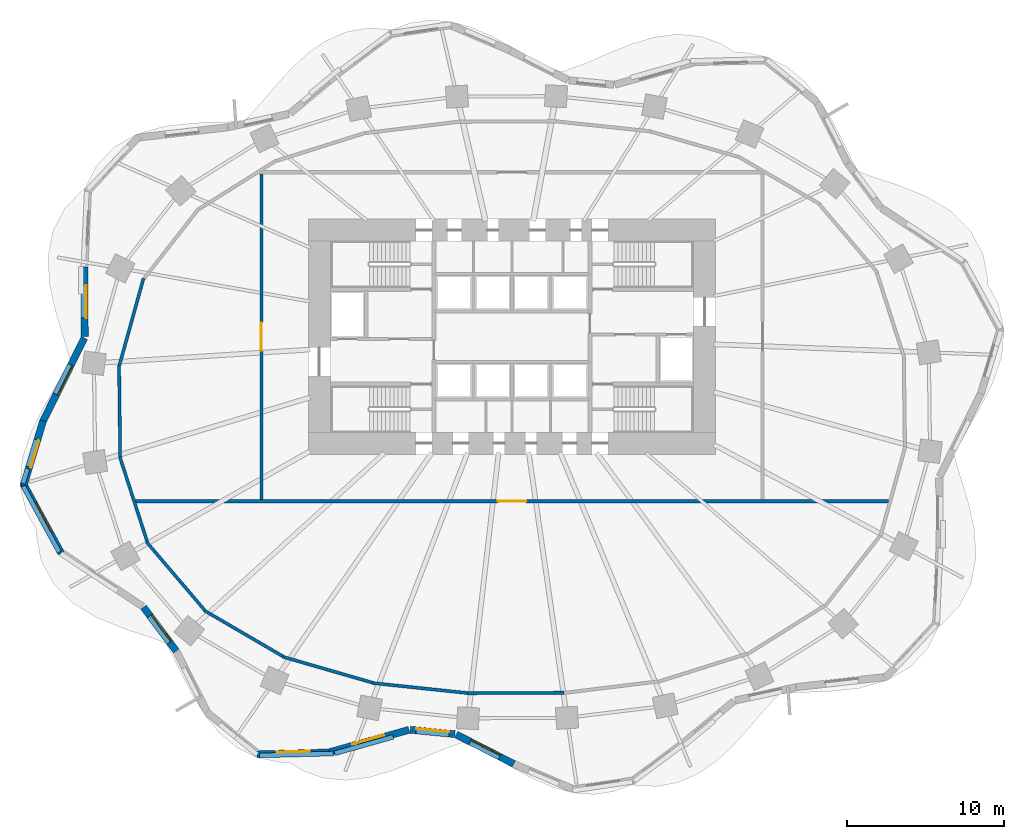
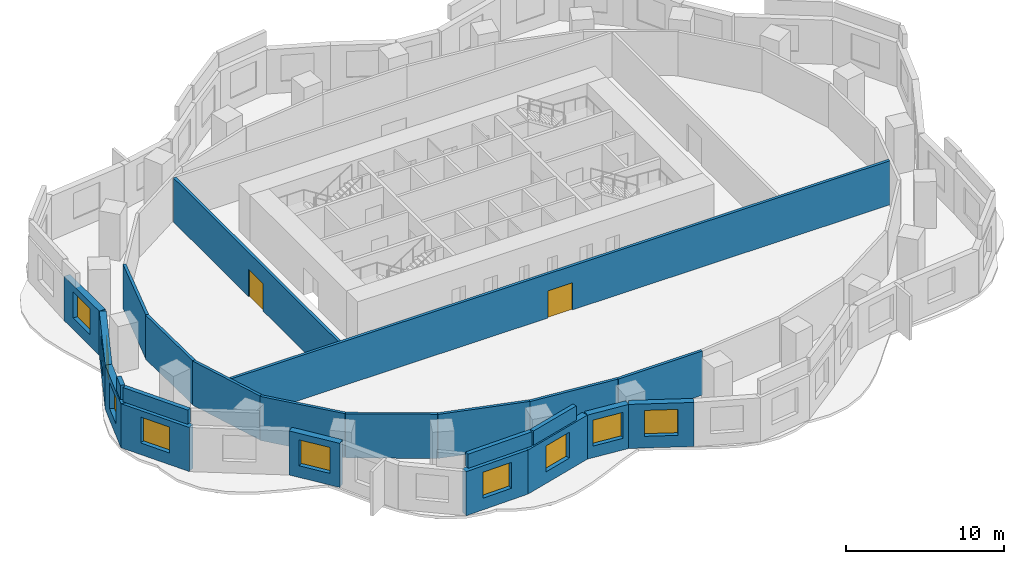
# One storey, part 3 of 8: 23 walls, 9 windows, 2 doors, 11 openings.
"""IFC4 building model written with IfcOpenShell, lengths in metres."""

from ifc_helpers import new_model, si_unit, direction, frame, frame_2d, origin, place, context, subcontext, project, spatial, rectangle, extrude, material, layer, layer_set, type_object, element, fill, save


model = new_model("IFC4")

# Units and contexts
model_context = context("Model", 3, precision=1e-05, world=origin(), true_north=direction((0.0, 1.0)))
body_context = subcontext(model_context, "Body", "Model", "MODEL_VIEW")
ifc_project = project(units=[si_unit("LENGTHUNIT", "METRE"), si_unit("AREAUNIT", "SQUARE_METRE"), si_unit("VOLUMEUNIT", "CUBIC_METRE"), si_unit("PLANEANGLEUNIT", "RADIAN"), si_unit("MASSUNIT", "GRAM", prefix="KILO")], contexts=[model_context])

# Site, building, storey
site_placement = place(None, origin())
site = spatial("IfcSite", under=ifc_project, at=site_placement, CompositionType="ELEMENT")
building_placement = place(site_placement, origin())
building = spatial("IfcBuilding", under=site, at=building_placement, Name="Rubra Terraces Tower", CompositionType="ELEMENT")
storey_placement = place(building_placement, frame((0.0, 0.0, 55.5)))
storey = spatial("IfcBuildingStorey", under=building, at=storey_placement, Name="L11", CompositionType="ELEMENT", Elevation=55.5)

# Wall, opening, window
ifc_material_1 = material(Name="Brick masonry red-brown", Category="masonry")
ifc_layer_1 = layer(ifc_material_1, 0.449951171875)
ifc_layer_set_1 = layer_set([ifc_layer_1], Name="Brick masonry red-brown")
wall_type_1 = type_object("IfcWallType", Name="Brick facade wall 450", PredefinedType="SOLIDWALL", material=ifc_layer_set_1)
wall_1_placement = place(storey_placement, frame((-27.284912109375, 8.966796875, 0.0), z_axis=(0.0, 0.0, 1.0), x_axis=(0.003185571797, -0.999994926053, 0.0)))
wall_1 = element("IfcWall", 1, at=wall_1_placement, inside=storey, type_object=wall_type_1, Name="Facade wall L11 bay 19", PredefinedType="SOLIDWALL", context=body_context, shape_type="SweptSolid", body=[
    extrude(rectangle(XDim=4.445068359375, YDim=0.449951171875, at=frame_2d((2.22265625, 0.0))), origin(), (0.0, 0.0, 1.0), 3.39990234375),
])
opening_1_placement = place(wall_1_placement, frame((1.172607421875, 0.0, 0.89990234375)))
opening_1 = element("IfcOpeningElement", 2, at=opening_1_placement, cuts=wall_1, Name="Opening W1", PredefinedType="OPENING", context=body_context, shape_type="SweptSolid", body=[
    extrude(rectangle(XDim=2.10009765625, YDim=2.0, at=frame_2d((1.050048828125, 1.0))), frame((0.0, 0.23486328125, 0.0), z_axis=(0.0, -1.0, 0.0), x_axis=(1.0, 0.0, 0.0)), (0.0, 0.0, 1.0), 0.469970703125),
])
ifc_material_2 = material(Name="Clear glass in aluminium frame", Category="aluminium")
window_type_1 = type_object("IfcWindowType", Name="Fixed deep-set window 2100 x 2000", PartitioningType="SINGLE_PANEL", PredefinedType="WINDOW", material=ifc_material_2)
window_1_placement = place(opening_1_placement, origin())
window_1 = element("IfcWindow", 3, at=window_1_placement, inside=storey, type_object=window_type_1, Name="Window L11 bay 19", OverallHeight=2.0, OverallWidth=2.10009765625, PartitioningType="SINGLE_PANEL", PredefinedType="WINDOW", context=body_context, shape_type="SweptSolid", body=[
    extrude(rectangle(XDim=2.10009765625, YDim=2.0, at=frame_2d((1.050048828125, 1.0))), frame((0.0, 0.135009765625, 0.0), z_axis=(0.0, -1.0, 0.0), x_axis=(1.0, 0.0, 0.0)), (0.0, 0.0, 1.0), 0.06005859375),
])
fill(opening_1, window_1)

wall_2_placement = place(storey_placement, frame((-27.294189453125, 4.426513671875, 0.0), z_axis=(0.0, 0.0, 1.0), x_axis=(-0.444913249375, -0.895573671191, 0.0)))
wall_2 = element("IfcWall", 4, at=wall_2_placement, inside=storey, type_object=wall_type_1, Name="Facade wall L11 bay 20", PredefinedType="SOLIDWALL", context=body_context, shape_type="SweptSolid", body=[
    extrude(rectangle(XDim=5.947265625, YDim=0.449951171875, at=frame_2d((2.9736328125, 0.0))), origin(), (0.0, 0.0, 1.0), 3.39990234375),
])
opening_2_placement = place(wall_2_placement, frame((1.923583984375, 0.0, 0.89990234375)))
opening_2 = element("IfcOpeningElement", 5, at=opening_2_placement, cuts=wall_2, Name="Opening W1", PredefinedType="OPENING", context=body_context, shape_type="SweptSolid", body=[
    extrude(rectangle(XDim=2.10009765625, YDim=2.0, at=frame_2d((1.050048828125, 1.0))), frame((0.0, 0.23486328125, 0.0), z_axis=(0.0, -1.0, 0.0), x_axis=(1.0, 0.0, 0.0)), (0.0, 0.0, 1.0), 0.469970703125),
])
window_2_placement = place(opening_2_placement, origin())
window_2 = element("IfcWindow", 6, at=window_2_placement, inside=storey, type_object=window_type_1, Name="Window L11 bay 20", OverallHeight=2.0, OverallWidth=2.10009765625, PartitioningType="SINGLE_PANEL", PredefinedType="WINDOW", context=body_context, shape_type="SweptSolid", body=[
    extrude(rectangle(XDim=2.10009765625, YDim=2.0, at=frame_2d((1.050048828125, 1.0))), frame((0.0, 0.135009765625, 0.0), z_axis=(0.0, -1.0, 0.0), x_axis=(1.0, 0.0, 0.0)), (0.0, 0.0, 1.0), 0.06005859375),
])
fill(opening_2, window_2)

wall_3_placement = place(storey_placement, frame((-29.926513671875, -0.86474609375, 0.0), z_axis=(0.0, 0.0, 1.0), x_axis=(-0.289432445378, -0.957198443147, 0.0)))
wall_3 = element("IfcWall", 7, at=wall_3_placement, inside=storey, type_object=wall_type_1, Name="Facade wall L11 bay 21", PredefinedType="SOLIDWALL", context=body_context, shape_type="SweptSolid", body=[
    extrude(rectangle(XDim=4.361083984375, YDim=0.449951171875, at=frame_2d((2.1806640625, 0.0))), origin(), (0.0, 0.0, 1.0), 3.39990234375),
])
opening_3_placement = place(wall_3_placement, frame((1.280517578125, 0.0, 0.89990234375)))
opening_3 = element("IfcOpeningElement", 8, at=opening_3_placement, cuts=wall_3, Name="Opening W6", PredefinedType="OPENING", context=body_context, shape_type="SweptSolid", body=[
    extrude(rectangle(XDim=1.800048828125, YDim=2.0, at=frame_2d((0.89990234375, 1.0))), frame((0.0, 0.23486328125, 0.0), z_axis=(0.0, -1.0, 0.0), x_axis=(1.0, 0.0, 0.0)), (0.0, 0.0, 1.0), 0.469970703125),
])
window_type_2 = type_object("IfcWindowType", Name="Fixed deep-set window at wind fin 1800 x 2000", PartitioningType="SINGLE_PANEL", PredefinedType="WINDOW", material=ifc_material_2)
window_3_placement = place(opening_3_placement, origin())
window_3 = element("IfcWindow", 9, at=window_3_placement, inside=storey, type_object=window_type_2, Name="Window L11 bay 21", OverallHeight=2.0, OverallWidth=1.800048828125, PartitioningType="SINGLE_PANEL", PredefinedType="WINDOW", context=body_context, shape_type="SweptSolid", body=[
    extrude(rectangle(XDim=1.800048828125, YDim=2.0, at=frame_2d((0.89990234375, 1.0))), frame((0.0, 0.135009765625, 0.0), z_axis=(0.0, -1.0, 0.0), x_axis=(1.0, 0.0, 0.0)), (0.0, 0.0, 1.0), 0.06005859375),
])
fill(opening_3, window_3)

wall_4_placement = place(storey_placement, frame((-31.20654296875, -4.8662109375, 0.0), z_axis=(0.0, 0.0, 1.0), x_axis=(0.479565142605, -0.877506281458, 0.0)))
wall_4 = element("IfcWall", 10, at=wall_4_placement, inside=storey, type_object=wall_type_1, Name="Facade wall L11 bay 22", PredefinedType="SOLIDWALL", context=body_context, shape_type="SweptSolid", body=[
    extrude(rectangle(XDim=5.060791015625, YDim=0.449951171875, at=frame_2d((2.5302734375, 0.0))), origin(), (0.0, 0.0, 1.0), 3.39990234375),
])
opening_4_placement = place(wall_4_placement, frame((1.48046875, 0.0, 0.89990234375)))
opening_4 = element("IfcOpeningElement", 11, at=opening_4_placement, cuts=wall_4, Name="Opening W1", PredefinedType="OPENING", context=body_context, shape_type="SweptSolid", body=[
    extrude(rectangle(XDim=2.10009765625, YDim=2.0, at=frame_2d((1.050048828125, 1.0))), frame((0.0, 0.23486328125, 0.0), z_axis=(0.0, -1.0, 0.0), x_axis=(1.0, 0.0, 0.0)), (0.0, 0.0, 1.0), 0.469970703125),
])
window_4_placement = place(opening_4_placement, origin())
window_4 = element("IfcWindow", 12, at=window_4_placement, inside=storey, type_object=window_type_1, Name="Window L11 bay 22", OverallHeight=2.0, OverallWidth=2.10009765625, PartitioningType="SINGLE_PANEL", PredefinedType="WINDOW", context=body_context, shape_type="SweptSolid", body=[
    extrude(rectangle(XDim=2.10009765625, YDim=2.0, at=frame_2d((1.050048828125, 1.0))), frame((0.0, 0.135009765625, 0.0), z_axis=(0.0, -1.0, 0.0), x_axis=(1.0, 0.0, 0.0)), (0.0, 0.0, 1.0), 0.06005859375),
])
fill(opening_4, window_4)

wall_5_placement = place(storey_placement, frame((-23.520263671875, -12.762451171875, 0.0), z_axis=(0.0, 0.0, 1.0), x_axis=(0.598664281495, -0.801000048728, 0.0)))
wall_5 = element("IfcWall", 13, at=wall_5_placement, inside=storey, type_object=wall_type_1, Name="Facade wall L11 bay 24", PredefinedType="SOLIDWALL", context=body_context, shape_type="SweptSolid", body=[
    extrude(rectangle(XDim=3.482177734375, YDim=0.449951171875, at=frame_2d((1.7412109375, 0.0))), origin(), (0.0, 0.0, 1.0), 3.39990234375),
])
opening_5_placement = place(wall_5_placement, frame((0.691162109375, 0.0, 0.89990234375)))
opening_5 = element("IfcOpeningElement", 14, at=opening_5_placement, cuts=wall_5, Name="Opening W1", PredefinedType="OPENING", context=body_context, shape_type="SweptSolid", body=[
    extrude(rectangle(XDim=2.10009765625, YDim=2.0, at=frame_2d((1.050048828125, 1.0))), frame((0.0, 0.23486328125, 0.0), z_axis=(0.0, -1.0, 0.0), x_axis=(1.0, 0.0, 0.0)), (0.0, 0.0, 1.0), 0.469970703125),
])
window_5_placement = place(opening_5_placement, origin())
window_5 = element("IfcWindow", 15, at=window_5_placement, inside=storey, type_object=window_type_1, Name="Window L11 bay 24", OverallHeight=2.0, OverallWidth=2.10009765625, PartitioningType="SINGLE_PANEL", PredefinedType="WINDOW", context=body_context, shape_type="SweptSolid", body=[
    extrude(rectangle(XDim=2.10009765625, YDim=2.0, at=frame_2d((1.050048828125, 1.0))), frame((0.0, 0.135009765625, 0.0), z_axis=(0.0, -1.0, 0.0), x_axis=(1.0, 0.0, 0.0)), (0.0, 0.0, 1.0), 0.06005859375),
])
fill(opening_5, window_5)

wall_6_placement = place(storey_placement, frame((-16.264892578125, -22.153076171875, 0.0), z_axis=(0.0, 0.0, 1.0), x_axis=(0.999672618135, 0.025586257081, 0.0)))
wall_6 = element("IfcWall", 16, at=wall_6_placement, inside=storey, type_object=wall_type_1, Name="Facade wall L11 bay 27", PredefinedType="SOLIDWALL", context=body_context, shape_type="SweptSolid", body=[
    extrude(rectangle(XDim=4.589599609375, YDim=0.449951171875, at=frame_2d((2.294921875, 0.0))), origin(), (0.0, 0.0, 1.0), 3.39990234375),
])
opening_6_placement = place(wall_6_placement, frame((1.244873046875, 0.0, 0.89990234375)))
opening_6 = element("IfcOpeningElement", 17, at=opening_6_placement, cuts=wall_6, Name="Opening W1", PredefinedType="OPENING", context=body_context, shape_type="SweptSolid", body=[
    extrude(rectangle(XDim=2.10009765625, YDim=2.0, at=frame_2d((1.050048828125, 1.0))), frame((0.0, 0.23486328125, 0.0), z_axis=(0.0, -1.0, 0.0), x_axis=(1.0, 0.0, 0.0)), (0.0, 0.0, 1.0), 0.469970703125),
])
window_6_placement = place(opening_6_placement, origin())
window_6 = element("IfcWindow", 18, at=window_6_placement, inside=storey, type_object=window_type_1, Name="Window L11 bay 27", OverallHeight=2.0, OverallWidth=2.10009765625, PartitioningType="SINGLE_PANEL", PredefinedType="WINDOW", context=body_context, shape_type="SweptSolid", body=[
    extrude(rectangle(XDim=2.10009765625, YDim=2.0, at=frame_2d((1.050048828125, 1.0))), frame((0.0, 0.135009765625, 0.0), z_axis=(0.0, -1.0, 0.0), x_axis=(1.0, 0.0, 0.0)), (0.0, 0.0, 1.0), 0.06005859375),
])
fill(opening_6, window_6)

wall_7_placement = place(storey_placement, frame((-11.73193359375, -22.0439453125, 0.0), z_axis=(0.0, 0.0, 1.0), x_axis=(0.962535416232, 0.271155992925, 0.0)))
wall_7 = element("IfcWall", 19, at=wall_7_placement, inside=storey, type_object=wall_type_1, Name="Facade wall L11 bay 28", PredefinedType="SOLIDWALL", context=body_context, shape_type="SweptSolid", body=[
    extrude(rectangle(XDim=5.357177734375, YDim=0.449951171875, at=frame_2d((2.6787109375, 0.0))), origin(), (0.0, 0.0, 1.0), 3.39990234375),
])
opening_7_placement = place(wall_7_placement, frame((1.628662109375, 0.0, 0.89990234375)))
opening_7 = element("IfcOpeningElement", 20, at=opening_7_placement, cuts=wall_7, Name="Opening W1", PredefinedType="OPENING", context=body_context, shape_type="SweptSolid", body=[
    extrude(rectangle(XDim=2.10009765625, YDim=2.0, at=frame_2d((1.050048828125, 1.0))), frame((0.0, 0.23486328125, 0.0), z_axis=(0.0, -1.0, 0.0), x_axis=(1.0, 0.0, 0.0)), (0.0, 0.0, 1.0), 0.469970703125),
])
window_7_placement = place(opening_7_placement, origin())
window_7 = element("IfcWindow", 21, at=window_7_placement, inside=storey, type_object=window_type_1, Name="Window L11 bay 28", OverallHeight=2.0, OverallWidth=2.10009765625, PartitioningType="SINGLE_PANEL", PredefinedType="WINDOW", context=body_context, shape_type="SweptSolid", body=[
    extrude(rectangle(XDim=2.10009765625, YDim=2.0, at=frame_2d((1.050048828125, 1.0))), frame((0.0, 0.135009765625, 0.0), z_axis=(0.0, -1.0, 0.0), x_axis=(1.0, 0.0, 0.0)), (0.0, 0.0, 1.0), 0.06005859375),
])
fill(opening_7, window_7)

wall_8_placement = place(storey_placement, frame((-6.4921875, -20.583984375, 0.0), z_axis=(0.0, 0.0, 1.0), x_axis=(0.995123748575, -0.098634299418, 0.0)))
wall_8 = element("IfcWall", 22, at=wall_8_placement, inside=storey, type_object=wall_type_1, Name="Facade wall L11 bay 29", PredefinedType="SOLIDWALL", context=body_context, shape_type="SweptSolid", body=[
    extrude(rectangle(XDim=2.86376953125, YDim=0.449951171875, at=frame_2d((1.431884765625, 0.0))), origin(), (0.0, 0.0, 1.0), 3.39990234375),
])
opening_8_placement = place(wall_8_placement, frame((0.3818359375, 0.0, 0.89990234375)))
opening_8 = element("IfcOpeningElement", 23, at=opening_8_placement, cuts=wall_8, Name="Opening W1", PredefinedType="OPENING", context=body_context, shape_type="SweptSolid", body=[
    extrude(rectangle(XDim=2.10009765625, YDim=2.0, at=frame_2d((1.050048828125, 1.0))), frame((0.0, 0.23486328125, 0.0), z_axis=(0.0, -1.0, 0.0), x_axis=(1.0, 0.0, 0.0)), (0.0, 0.0, 1.0), 0.469970703125),
])
window_8_placement = place(opening_8_placement, origin())
window_8 = element("IfcWindow", 24, at=window_8_placement, inside=storey, type_object=window_type_1, Name="Window L11 bay 29", OverallHeight=2.0, OverallWidth=2.10009765625, PartitioningType="SINGLE_PANEL", PredefinedType="WINDOW", context=body_context, shape_type="SweptSolid", body=[
    extrude(rectangle(XDim=2.10009765625, YDim=2.0, at=frame_2d((1.050048828125, 1.0))), frame((0.0, 0.135009765625, 0.0), z_axis=(0.0, -1.0, 0.0), x_axis=(1.0, 0.0, 0.0)), (0.0, 0.0, 1.0), 0.06005859375),
])
fill(opening_8, window_8)

wall_9_placement = place(storey_placement, frame((-3.564208984375, -20.888916015625, 0.0), z_axis=(0.0, 0.0, 1.0), x_axis=(0.891033634447, -0.453937288933, 0.0)))
wall_9 = element("IfcWall", 25, at=wall_9_placement, inside=storey, type_object=wall_type_1, Name="Facade wall L11 bay 30", PredefinedType="SOLIDWALL", context=body_context, shape_type="SweptSolid", body=[
    extrude(rectangle(XDim=4.131591796875, YDim=0.449951171875, at=frame_2d((2.06591796875, 0.0))), origin(), (0.0, 0.0, 1.0), 3.39990234375),
])
opening_9_placement = place(wall_9_placement, frame((1.015869140625, 0.0, 0.89990234375)))
opening_9 = element("IfcOpeningElement", 26, at=opening_9_placement, cuts=wall_9, Name="Opening W1", PredefinedType="OPENING", context=body_context, shape_type="SweptSolid", body=[
    extrude(rectangle(XDim=2.10009765625, YDim=2.0, at=frame_2d((1.050048828125, 1.0))), frame((0.0, 0.23486328125, 0.0), z_axis=(0.0, -1.0, 0.0), x_axis=(1.0, 0.0, 0.0)), (0.0, 0.0, 1.0), 0.469970703125),
])
window_9_placement = place(opening_9_placement, origin())
window_9 = element("IfcWindow", 27, at=window_9_placement, inside=storey, type_object=window_type_1, Name="Window L11 bay 30", OverallHeight=2.0, OverallWidth=2.10009765625, PartitioningType="SINGLE_PANEL", PredefinedType="WINDOW", context=body_context, shape_type="SweptSolid", body=[
    extrude(rectangle(XDim=2.10009765625, YDim=2.0, at=frame_2d((1.050048828125, 1.0))), frame((0.0, 0.135009765625, 0.0), z_axis=(0.0, -1.0, 0.0), x_axis=(1.0, 0.0, 0.0)), (0.0, 0.0, 1.0), 0.06005859375),
])
fill(opening_9, window_9)

# Walls
ifc_layer_2 = layer(ifc_material_1, 0.300048828125)
ifc_layer_set_2 = layer_set([ifc_layer_2], Name="Brick masonry red-brown")
wall_type_2 = type_object("IfcWallType", Name="Brick parapet 300", PredefinedType="PARAPET", material=ifc_layer_set_2)
wall_10_placement = place(storey_placement, frame((-30.923583984375, -3.9033203125, 3.60009765625), z_axis=(0.0, 0.0, 1.0), x_axis=(-0.289368862089, -0.95721766681, 0.0)))
element("IfcWall", 28, at=wall_10_placement, inside=storey, type_object=wall_type_2, Name="Parapet L11 bay 21", PredefinedType="PARAPET", context=body_context, shape_type="SweptSolid", body=[
    extrude(rectangle(XDim=1.00830078125, YDim=0.300048828125, at=frame_2d((0.504150390625, 0.0))), origin(), (0.0, 0.0, 1.0), 1.099853515625),
])
wall_11_placement = place(storey_placement, frame((-31.19775390625, -5.038818359375, 3.60009765625), z_axis=(0.0, 0.0, 1.0), x_axis=(0.479564593641, -0.877506581472, 0.0)))
element("IfcWall", 29, at=wall_11_placement, inside=storey, type_object=wall_type_2, Name="Parapet L11 bay 22", PredefinedType="PARAPET", context=body_context, shape_type="SweptSolid", body=[
    extrude(rectangle(XDim=4.80078125, YDim=0.300048828125, at=frame_2d((2.400390625, 0.0))), origin(), (0.0, 0.0, 1.0), 1.099853515625),
])
wall_12_placement = place(storey_placement, frame((-16.121826171875, -22.224365234375, 3.60009765625), z_axis=(0.0, 0.0, 1.0), x_axis=(0.999672688687, 0.025583500399, 0.0)))
element("IfcWall", 30, at=wall_12_placement, inside=storey, type_object=wall_type_2, Name="Parapet L11 bay 27", PredefinedType="PARAPET", context=body_context, shape_type="SweptSolid", body=[
    extrude(rectangle(XDim=4.714111328125, YDim=0.300048828125, at=frame_2d((2.35693359375, 0.0))), origin(), (0.0, 0.0, 1.0), 1.099853515625),
])
wall_13_placement = place(storey_placement, frame((-11.313720703125, -22.08935546875, 3.60009765625), z_axis=(0.0, 0.0, 1.0), x_axis=(0.962524249835, 0.271195627691, 0.0)))
element("IfcWall", 31, at=wall_13_placement, inside=storey, type_object=wall_type_2, Name="Parapet L11 bay 28", PredefinedType="PARAPET", context=body_context, shape_type="SweptSolid", body=[
    extrude(rectangle(XDim=3.880126953125, YDim=0.300048828125, at=frame_2d((1.93994140625, 0.0))), origin(), (0.0, 0.0, 1.0), 1.099853515625),
])
ifc_material_3 = material(Name="Blockwork", Category="masonry")
ifc_layer_3 = layer(ifc_material_3, 0.199951171875)
ifc_layer_set_3 = layer_set([ifc_layer_3], Name="Blockwork")
wall_type_3 = type_object("IfcWallType", Name="Corridor partition 200 blockwork", PredefinedType="PARTITIONING", material=ifc_layer_set_3)
wall_14_placement = place(storey_placement, frame((3.30810546875, -18.22412109375, 0.0), z_axis=(0.0, 0.0, 1.0), x_axis=(-0.999988230875, -0.004851609169, 0.0)))
element("IfcWall", 32, at=wall_14_placement, inside=storey, type_object=wall_type_3, Name="Partition wall", PredefinedType="PARTITIONING", context=body_context, shape_type="SweptSolid", body=[
    extrude(rectangle(XDim=6.13916015625, YDim=0.199951171875, at=frame_2d((3.069580078125, 0.0))), origin(), (0.0, 0.0, 1.0), 3.39990234375),
])
wall_15_placement = place(storey_placement, frame((-2.830078125, -18.243896484375, 0.0), z_axis=(0.0, 0.0, 1.0), x_axis=(-0.994495561058, 0.10477871461, 0.0)))
element("IfcWall", 33, at=wall_15_placement, inside=storey, type_object=wall_type_3, Name="Partition wall", PredefinedType="PARTITIONING", context=body_context, shape_type="SweptSolid", body=[
    extrude(rectangle(XDim=6.08837890625, YDim=0.199951171875, at=frame_2d((3.044189453125, 0.0))), origin(), (0.0, 0.0, 1.0), 3.39990234375),
])
wall_16_placement = place(storey_placement, frame((-8.882080078125, -17.587890625, 0.0), z_axis=(0.0, 0.0, 1.0), x_axis=(-0.960715878889, 0.277533781818, 0.0)))
element("IfcWall", 34, at=wall_16_placement, inside=storey, type_object=wall_type_3, Name="Partition wall", PredefinedType="PARTITIONING", context=body_context, shape_type="SweptSolid", body=[
    extrude(rectangle(XDim=5.970458984375, YDim=0.199951171875, at=frame_2d((2.9853515625, 0.0))), origin(), (0.0, 0.0, 1.0), 3.39990234375),
])
wall_17_placement = place(storey_placement, frame((-14.60791015625, -15.908935546875, 0.0), z_axis=(0.0, 0.0, 1.0), x_axis=(-0.863803195861, 0.503829374709, 0.0)))
element("IfcWall", 35, at=wall_17_placement, inside=storey, type_object=wall_type_3, Name="Partition wall", PredefinedType="PARTITIONING", context=body_context, shape_type="SweptSolid", body=[
    extrude(rectangle(XDim=5.831298828125, YDim=0.199951171875, at=frame_2d((2.91552734375, 0.0))), origin(), (0.0, 0.0, 1.0), 3.39990234375),
])
wall_18_placement = place(storey_placement, frame((-19.6240234375, -12.945068359375, 0.0), z_axis=(0.0, 0.0, 1.0), x_axis=(-0.648549295441, 0.761172655435, 0.0)))
element("IfcWall", 36, at=wall_18_placement, inside=storey, type_object=wall_type_3, Name="Partition wall", PredefinedType="PARTITIONING", context=body_context, shape_type="SweptSolid", body=[
    extrude(rectangle(XDim=5.692626953125, YDim=0.199951171875, at=frame_2d((2.84619140625, 0.0))), origin(), (0.0, 0.0, 1.0), 3.39990234375),
])
wall_19_placement = place(storey_placement, frame((-23.281982421875, -8.593017578125, 0.0), z_axis=(0.0, 0.0, 1.0), x_axis=(-0.307048901132, 0.951693738717, 0.0)))
element("IfcWall", 37, at=wall_19_placement, inside=storey, type_object=wall_type_3, Name="Partition wall", PredefinedType="PARTITIONING", context=body_context, shape_type="SweptSolid", body=[
    extrude(rectangle(XDim=5.722412109375, YDim=0.199951171875, at=frame_2d((2.861328125, 0.0))), origin(), (0.0, 0.0, 1.0), 3.39990234375),
])

# Wall, opening, door
wall_20_placement = place(storey_placement, frame((-24.01806640625, -6.0, 0.0), z_axis=(0.0, 0.0, 1.0), x_axis=(1.0, 0.0, 0.0)))
wall_20 = element("IfcWall", 38, at=wall_20_placement, inside=storey, type_object=wall_type_3, Name="Partition wall", PredefinedType="PARTITIONING", context=body_context, shape_type="SweptSolid", body=[
    extrude(rectangle(XDim=48.05615234375, YDim=0.199951171875, at=frame_2d((24.028076171875, 0.0))), origin(), (0.0, 0.0, 1.0), 3.39990234375),
])
opening_10_placement = place(wall_20_placement, frame((23.117919921875, 0.0, 0.0)))
opening_10 = element("IfcOpeningElement", 39, at=opening_10_placement, cuts=wall_20, Name="Opening DB3", PredefinedType="OPENING", context=body_context, shape_type="SweptSolid", body=[
    extrude(rectangle(XDim=1.800048828125, YDim=2.10009765625, at=frame_2d((0.89990234375, 1.050048828125))), frame((0.0, 0.10986328125, 0.0), z_axis=(0.0, -1.0, 0.0), x_axis=(1.0, 0.0, 0.0)), (0.0, 0.0, 1.0), 0.219970703125),
])
ifc_material_4 = material(Name="Painted steel", Category="steel")
door_type = type_object("IfcDoorType", Name="Door 1800x2100 double", OperationType="NOTDEFINED", PredefinedType="DOOR", material=ifc_material_4)
door_1_placement = place(opening_10_placement, origin())
door_1 = element("IfcDoor", 40, at=door_1_placement, inside=storey, type_object=door_type, Name="Refuge area door L11-01", OperationType="DOUBLE_DOOR_SINGLE_SWING", OverallHeight=2.10009765625, OverallWidth=1.800048828125, PredefinedType="DOOR", context=body_context, shape_type="SweptSolid", body=[
    extrude(rectangle(XDim=1.800048828125, YDim=2.10009765625, at=frame_2d((0.89990234375, 1.050048828125))), frame((0.0, 0.02490234375, 0.0), z_axis=(0.0, -1.0, 0.0), x_axis=(1.0, 0.0, 0.0)), (0.0, 0.0, 1.0), 0.050048828125),
])
fill(opening_10, door_1)

# Walls
wall_21_placement = place(storey_placement, frame((-25.009033203125, -3.14208984375, 0.0), z_axis=(0.0, 0.0, 1.0), x_axis=(-0.012494323245, 0.999921942897, 0.0)))
element("IfcWall", 41, at=wall_21_placement, inside=storey, type_object=wall_type_3, Name="Partition wall", PredefinedType="PARTITIONING", context=body_context, shape_type="SweptSolid", body=[
    extrude(rectangle(XDim=5.842529296875, YDim=0.199951171875, at=frame_2d((2.92138671875, 0.0))), origin(), (0.0, 0.0, 1.0), 3.39990234375),
])
wall_22_placement = place(storey_placement, frame((-25.053955078125, 2.696044921875, 0.0), z_axis=(0.0, 0.0, 1.0), x_axis=(0.267360914268, 0.96359646197, 0.0)))
element("IfcWall", 42, at=wall_22_placement, inside=storey, type_object=wall_type_3, Name="Partition wall", PredefinedType="PARTITIONING", context=body_context, shape_type="SweptSolid", body=[
    extrude(rectangle(XDim=5.740966796875, YDim=0.199951171875, at=frame_2d((2.87060546875, 0.0))), origin(), (0.0, 0.0, 1.0), 3.39990234375),
])

# Wall, opening, door
wall_23_placement = place(storey_placement, frame((-16.0, 14.89990234375, 0.0), z_axis=(0.0, 0.0, 1.0), x_axis=(0.0, -1.0, 0.0)))
wall_23 = element("IfcWall", 43, at=wall_23_placement, inside=storey, type_object=wall_type_3, Name="Partition wall", PredefinedType="PARTITIONING", context=body_context, shape_type="SweptSolid", body=[
    extrude(rectangle(XDim=20.7998046875, YDim=0.199951171875, at=frame_2d((10.39990234375, 0.0))), origin(), (0.0, 0.0, 1.0), 3.39990234375),
])
opening_11_placement = place(wall_23_placement, frame((9.5, 0.0, 0.0)))
opening_11 = element("IfcOpeningElement", 44, at=opening_11_placement, cuts=wall_23, Name="Opening DB3", PredefinedType="OPENING", context=body_context, shape_type="SweptSolid", body=[
    extrude(rectangle(XDim=1.800048828125, YDim=2.10009765625, at=frame_2d((0.89990234375, 1.050048828125))), frame((0.0, 0.10986328125, 0.0), z_axis=(0.0, -1.0, 0.0), x_axis=(1.0, 0.0, 0.0)), (0.0, 0.0, 1.0), 0.219970703125),
])
door_2_placement = place(opening_11_placement, origin())
door_2 = element("IfcDoor", 45, at=door_2_placement, inside=storey, type_object=door_type, Name="Refuge area door L11-02", OperationType="DOUBLE_DOOR_SINGLE_SWING", OverallHeight=2.10009765625, OverallWidth=1.800048828125, PredefinedType="DOOR", context=body_context, shape_type="SweptSolid", body=[
    extrude(rectangle(XDim=1.800048828125, YDim=2.10009765625, at=frame_2d((0.89990234375, 1.050048828125))), frame((0.0, 0.02490234375, 0.0), z_axis=(0.0, -1.0, 0.0), x_axis=(1.0, 0.0, 0.0)), (0.0, 0.0, 1.0), 0.050048828125),
])
fill(opening_11, door_2)

save(model, "model.ifc")
